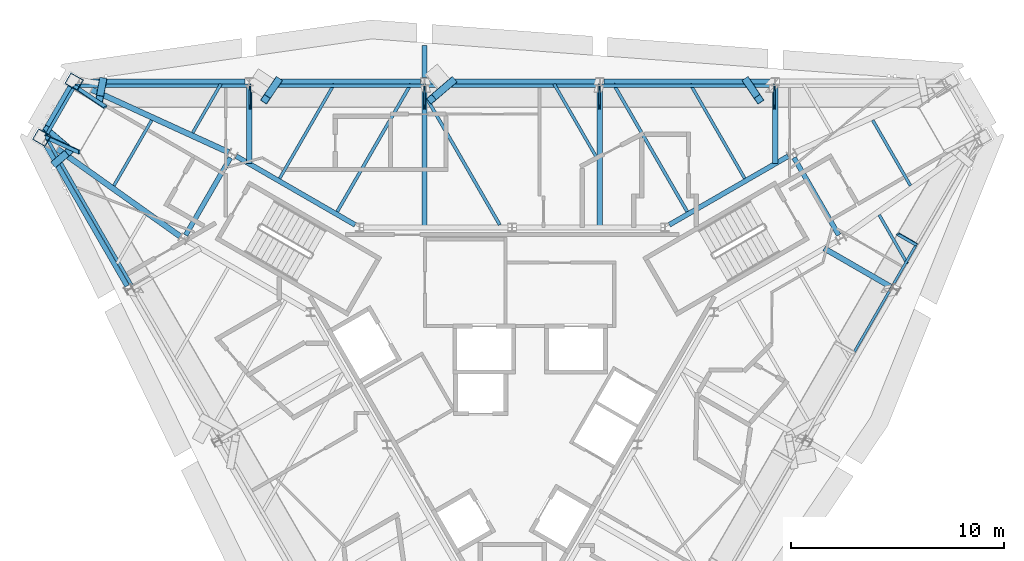
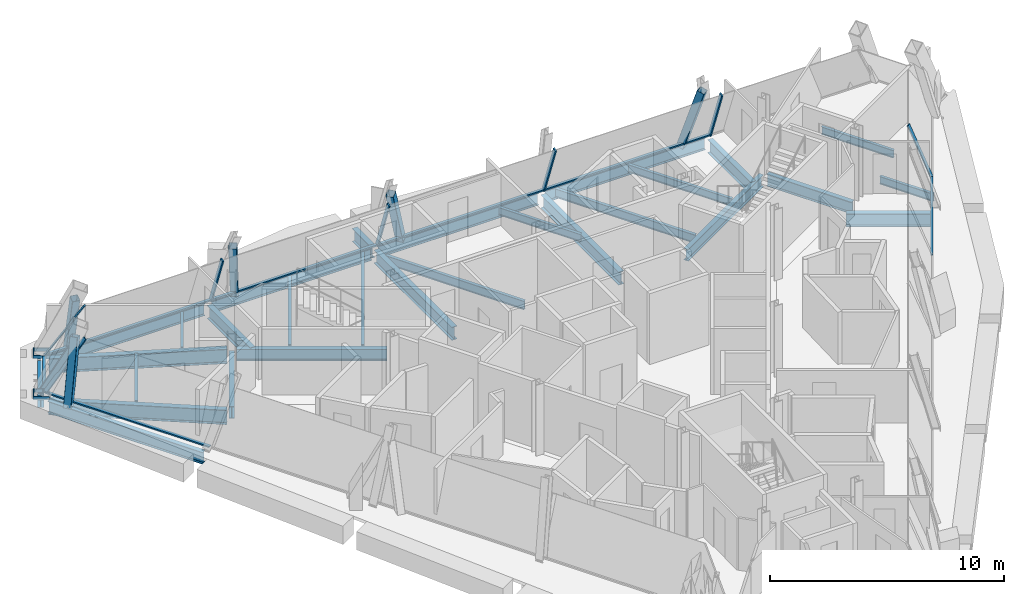
# One storey, part 3 of 13: 28 beams, 22 members, 4 elements without a shape of their own.
"""IFC4 building model written with IfcOpenShell, lengths in metres."""

from ifc_helpers import new_model, si_unit, direction, frame, origin, origin_2d, place, context, subcontext, project, spatial, rectangle, hollow_rectangle, i_section, extrude, material, material_profile, profile_set, type_object, element, aggregate, save


model = new_model("IFC4")

# Units and contexts
model_context = context("Model", 3, precision=1e-05, world=origin(), true_north=direction((0.0, 1.0)))
body_context = subcontext(model_context, "Body", "Model", "MODEL_VIEW")
ifc_project = project(units=[si_unit("LENGTHUNIT", "METRE"), si_unit("AREAUNIT", "SQUARE_METRE"), si_unit("VOLUMEUNIT", "CUBIC_METRE"), si_unit("PLANEANGLEUNIT", "RADIAN"), si_unit("MASSUNIT", "GRAM", prefix="KILO")], contexts=[model_context])

# Site, building, storey
site_placement = place(None, origin())
site = spatial("IfcSite", under=ifc_project, at=site_placement, CompositionType="ELEMENT")
building_placement = place(site_placement, origin())
building = spatial("IfcBuilding", under=site, at=building_placement, Name="Verrane Prism Tower", CompositionType="ELEMENT")
storey_placement = place(building_placement, frame((0.0, 0.0, 304.699951171875)))
storey = spatial("IfcBuildingStorey", under=building, at=storey_placement, Name="L77", CompositionType="ELEMENT", Elevation=304.699951171875)

# Member
ifc_material_1 = material(Name="Steel A500 Grade C", Category="steel")
ifc_material_profile_1 = material_profile(ifc_material_1, hollow_rectangle(XDim=0.25390625, YDim=0.25390625, WallThickness=0.009521484375, InnerFilletRadius=0.0048828125, OuterFilletRadius=0.014404296875, at=origin_2d()), Name="HSS10x10x3/8")
ifc_profile_set_1 = profile_set([ifc_material_profile_1], Name="Steel A500 Grade C")
member_type_1 = type_object("IfcMemberType", Name="Chamfer brace HSS10x10x3/8", PredefinedType="BRACE", material=ifc_profile_set_1)
member_1_placement = place(storey_placement, frame((-21.880859375, 11.433837890625, -0.242431640625), z_axis=(0.352889837406, -0.301488956858, 0.885761351352), x_axis=(0.649563353481, 0.760307470576, 0.0)))
element("IfcMember", 1, at=member_1_placement, inside=storey, type_object=member_type_1, Name="Chamfer brace NW0 L77", PredefinedType="BRACE", context=body_context, shape_type="SweptSolid", body=[
    extrude(hollow_rectangle(XDim=0.25390625, YDim=0.25390625, WallThickness=0.009521484375, InnerFilletRadius=0.0048828125, OuterFilletRadius=0.014404296875, at=origin_2d()), origin(), (0.0, 0.0, 1.0), 3.1064453125),
])

# Beams
ifc_material_2 = material(Name="Steel A992", Category="steel")
ifc_material_profile_2 = material_profile(ifc_material_2, i_section(OverallWidth=0.2666015625, OverallDepth=0.7568359375, WebThickness=0.013916015625, FlangeThickness=0.019287109375, FilletRadius=0.0166015625, at=origin_2d()), Name="W30x108")
ifc_profile_set_2 = profile_set([ifc_material_profile_2], Name="Steel A992")
beam_type_1 = type_object("IfcBeamType", Name="Chamfer spandrel beam W30x108", PredefinedType="SPANDREL", material=ifc_profile_set_2)
beam_1_placement = place(storey_placement, frame((-20.75, 13.390380859375, -0.538330078125), z_axis=(-0.500436097356, -0.865773476415, 0.0), x_axis=(0.865773476415, -0.500436097356, 0.0)))
element("IfcBeam", 2, at=beam_1_placement, inside=storey, type_object=beam_type_1, Name="Chamfer spandrel beam L77", PredefinedType="SPANDREL", context=body_context, shape_type="SweptSolid", body=[
    extrude(i_section(OverallWidth=0.2666015625, OverallDepth=0.7568359375, WebThickness=0.013916015625, FlangeThickness=0.019287109375, FilletRadius=0.0166015625, at=origin_2d()), origin(), (0.0, 0.0, 1.0), 2.437744140625),
])
ifc_material_3 = material(Name="Steel A992", Category="steel")
ifc_material_profile_3 = material_profile(ifc_material_3, i_section(OverallWidth=0.23046875, OverallDepth=0.6171875, WebThickness=0.01318359375, FlangeThickness=0.022216796875, FilletRadius=0.012939453125, at=origin_2d()), Name="W24x94")
ifc_profile_set_3 = profile_set([ifc_material_profile_3], Name="Steel A992")
beam_type_2 = type_object("IfcBeamType", Name="Core ring girder W24x94", PredefinedType="BEAM", material=ifc_profile_set_3)
beam_2_placement = place(storey_placement, frame((15.339599609375, 6.43359375, -0.55859375), z_axis=(-0.500306681185, 0.865848268903, 0.0), x_axis=(-0.865848268903, -0.500306681185, 0.0)))
element("IfcBeam", 3, at=beam_2_placement, inside=storey, type_object=beam_type_2, Name="Core ring girder L77", PredefinedType="BEAM", context=body_context, shape_type="SweptSolid", body=[
    extrude(i_section(OverallWidth=0.23046875, OverallDepth=0.6171875, WebThickness=0.01318359375, FlangeThickness=0.022216796875, FilletRadius=0.012939453125, at=origin_2d()), origin(), (0.0, 0.0, 1.0), 4.195556640625),
])
for number, where, z_axis, x_axis, name in (
    (4, (12.96728515625, 10.140380859375, -0.55859375), (-0.866080992722, -0.499903704773, 0.0), (0.499903704773, -0.866080992722, 0.0), "Core ring girder L77"),
    (5, (-7.37939453125, 6.9150390625, -0.55859375), (-0.866080992722, 0.499903704773, 0.0), (-0.499903704773, -0.866080992722, 0.0), "Core ring girder L77"),
):
    element("IfcBeam", number, at=place(storey_placement, frame(where, z_axis=z_axis, x_axis=x_axis)), inside=storey, type_object=beam_type_2, Name=name, PredefinedType="BEAM", context=body_context, shape_type="SweptSolid", body=[
        extrude(i_section(OverallWidth=0.23046875, OverallDepth=0.6171875, WebThickness=0.01318359375, FlangeThickness=0.022216796875, FilletRadius=0.012939453125, at=origin_2d()), origin(), (0.0, 0.0, 1.0), 6.451904296875),
    ])
beam_3_placement = place(storey_placement, frame((-13.240478515625, 10.06640625, -0.55859375), z_axis=(-0.500306681185, -0.865848268903, 0.0), x_axis=(0.865848268903, -0.500306681185, 0.0)))
element("IfcBeam", 6, at=beam_3_placement, inside=storey, type_object=beam_type_2, Name="Core ring girder L77", PredefinedType="BEAM", context=body_context, shape_type="SweptSolid", body=[
    extrude(i_section(OverallWidth=0.23046875, OverallDepth=0.6171875, WebThickness=0.01318359375, FlangeThickness=0.022216796875, FilletRadius=0.012939453125, at=origin_2d()), origin(), (0.0, 0.0, 1.0), 4.195556640625),
])
ifc_material_4 = material(Name="Steel A992", Category="steel")
ifc_material_profile_4 = material_profile(ifc_material_4, i_section(OverallWidth=0.2666015625, OverallDepth=0.7568359375, WebThickness=0.013916015625, FlangeThickness=0.019287109375, FilletRadius=0.0166015625, at=origin_2d()), Name="W30x108")
ifc_profile_set_4 = profile_set([ifc_material_profile_4], Name="Steel A992")
beam_type_3 = type_object("IfcBeamType", Name="Corner girder W30x108", PredefinedType="BEAM", material=ifc_profile_set_4)
for number, where, z_axis, x_axis, name in (
    (7, (-20.2802734375, 13.50390625, -0.598388671875), (0.909481370613, -0.415744677065, 0.0), (0.415744677065, 0.909481370613, 0.0), "Corner girder L77"),
    (8, (-21.833740234375, 10.81591796875, -0.598388671875), (0.814401339816, -0.580302040067, 0.0), (0.580302040067, 0.814401339816, 0.0), "Corner girder L77"),
):
    element("IfcBeam", number, at=place(storey_placement, frame(where, z_axis=z_axis, x_axis=x_axis)), inside=storey, type_object=beam_type_3, Name=name, PredefinedType="BEAM", context=body_context, shape_type="SweptSolid", body=[
        extrude(i_section(OverallWidth=0.2666015625, OverallDepth=0.7568359375, WebThickness=0.013916015625, FlangeThickness=0.019287109375, FilletRadius=0.0166015625, at=origin_2d()), origin(), (0.0, 0.0, 1.0), 7.650634765625),
    ])

# Members
ifc_material_5 = material(Name="Steel A500 Grade C", Category="steel")
ifc_material_profile_5 = material_profile(ifc_material_5, hollow_rectangle(XDim=0.355712890625, YDim=0.355712890625, WallThickness=0.0126953125, InnerFilletRadius=0.00634765625, OuterFilletRadius=0.01904296875, at=origin_2d()), Name="HSS14x14x1/2")
ifc_profile_set_5 = profile_set([ifc_material_profile_5], Name="Steel A500 Grade C")
member_type_2 = type_object("IfcMemberType", Name="Facade brace HSS14x14x1/2", PredefinedType="BRACE", material=ifc_profile_set_5)
member_2_placement = place(storey_placement, frame((11.03125, 13.64990234375, -0.216552734375), z_axis=(0.168559870139, -0.249880691753, 0.95349211327), x_axis=(0.829017246302, 0.559223037199, 0.0)))
element("IfcMember", 9, at=member_2_placement, inside=storey, type_object=member_type_2, Name="Facade brace N1 L77", PredefinedType="BRACE", context=body_context, shape_type="SweptSolid", body=[
    extrude(hollow_rectangle(XDim=0.355712890625, YDim=0.355712890625, WallThickness=0.0126953125, InnerFilletRadius=0.00634765625, OuterFilletRadius=0.01904296875, at=origin_2d()), origin(), (0.0, 0.0, 1.0), 3.341552734375),
])
member_3_placement = place(storey_placement, frame((-2.823486328125, 13.64990234375, -0.216552734375), z_axis=(-0.283315972977, -0.242599055478, 0.927834984109), x_axis=(0.650415408637, -0.75957869652, 0.0)))
element("IfcMember", 10, at=member_3_placement, inside=storey, type_object=member_type_2, Name="Facade brace N2 L77", PredefinedType="BRACE", context=body_context, shape_type="SweptSolid", body=[
    extrude(hollow_rectangle(XDim=0.355712890625, YDim=0.355712890625, WallThickness=0.0126953125, InnerFilletRadius=0.00634765625, OuterFilletRadius=0.01904296875, at=origin_2d()), origin(), (0.0, 0.0, 1.0), 3.441650390625),
])
member_4_placement = place(storey_placement, frame((-11.03125, 13.64990234375, -0.216552734375), z_axis=(-0.168559870139, -0.249880691753, 0.95349211327), x_axis=(0.829017246302, -0.559223037199, 0.0)))
element("IfcMember", 11, at=member_4_placement, inside=storey, type_object=member_type_2, Name="Facade brace N3 L77", PredefinedType="BRACE", context=body_context, shape_type="SweptSolid", body=[
    extrude(hollow_rectangle(XDim=0.355712890625, YDim=0.355712890625, WallThickness=0.0126953125, InnerFilletRadius=0.00634765625, OuterFilletRadius=0.01904296875, at=origin_2d()), origin(), (0.0, 0.0, 1.0), 3.341552734375),
])
member_5_placement = place(storey_placement, frame((-19.23876953125, 13.64990234375, -0.216552734375), z_axis=(-0.046697248838, -0.253573473452, 0.966188315243), x_axis=(0.983462622237, -0.18111121076, 0.0)))
element("IfcMember", 12, at=member_5_placement, inside=storey, type_object=member_type_2, Name="Facade brace N4 L77", PredefinedType="BRACE", context=body_context, shape_type="SweptSolid", body=[
    extrude(hollow_rectangle(XDim=0.355712890625, YDim=0.355712890625, WallThickness=0.0126953125, InnerFilletRadius=0.00634765625, OuterFilletRadius=0.01904296875, at=origin_2d()), origin(), (0.0, 0.0, 1.0), 3.293701171875),
])
member_6_placement = place(storey_placement, frame((-21.439453125, 9.840576171875, -0.216552734375), z_axis=(0.195998181882, 0.167013579342, 0.966276967031), x_axis=(-0.648583840742, 0.761143220116, 0.0)))
element("IfcMember", 13, at=member_6_placement, inside=storey, type_object=member_type_2, Name="Facade brace SW0 L77", PredefinedType="BRACE", context=body_context, shape_type="SweptSolid", body=[
    extrude(hollow_rectangle(XDim=0.355712890625, YDim=0.355712890625, WallThickness=0.0126953125, InnerFilletRadius=0.00634765625, OuterFilletRadius=0.01904296875, at=origin_2d()), origin(), (0.0, 0.0, 1.0), 3.29345703125),
])

# Beams
ifc_material_6 = material(Name="Steel A992", Category="steel")
ifc_material_profile_6 = material_profile(ifc_material_6, i_section(OverallWidth=0.140380859375, OverallDepth=0.40380859375, WebThickness=0.007080078125, FlangeThickness=0.01123046875, FilletRadius=0.01025390625, at=origin_2d()), Name="W16x31")
ifc_profile_set_6 = profile_set([ifc_material_profile_6], Name="Steel A992")
beam_type_4 = type_object("IfcBeamType", Name="Floor beam W16x31", PredefinedType="BEAM", material=ifc_profile_set_6)
beam_4_placement = place(storey_placement, frame((10.925048828125, 9.094482421875, -0.36181640625), z_axis=(-0.500005474671, 0.866022242959, 0.0), x_axis=(-0.866022242959, -0.500005474671, 0.0)))
element("IfcBeam", 14, at=beam_4_placement, inside=storey, type_object=beam_type_4, Name="Floor beam L77", PredefinedType="BEAM", context=body_context, shape_type="SweptSolid", body=[
    extrude(i_section(OverallWidth=0.140380859375, OverallDepth=0.40380859375, WebThickness=0.007080078125, FlangeThickness=0.01123046875, FilletRadius=0.01025390625, at=origin_2d()), origin(), (0.0, 0.0, 1.0), 5.12744140625),
])
beam_5_placement = place(storey_placement, frame((3.992919921875, 10.029296875, -0.36181640625), z_axis=(-0.499992196334, 0.866029909186, 0.0), x_axis=(-0.866029909186, -0.499992196334, 0.0)))
element("IfcBeam", 15, at=beam_5_placement, inside=storey, type_object=beam_type_4, Name="Floor beam L77", PredefinedType="BEAM", context=body_context, shape_type="SweptSolid", body=[
    extrude(i_section(OverallWidth=0.140380859375, OverallDepth=0.40380859375, WebThickness=0.007080078125, FlangeThickness=0.01123046875, FilletRadius=0.01025390625, at=origin_2d()), origin(), (0.0, 0.0, 1.0), 4.0478515625),
])
beam_6_placement = place(storey_placement, frame((-10.925048828125, 9.094482421875, -0.36181640625), z_axis=(0.500005474671, 0.866022242959, 0.0), x_axis=(-0.866022242959, 0.500005474671, 0.0)))
element("IfcBeam", 16, at=beam_6_placement, inside=storey, type_object=beam_type_4, Name="Floor beam L77", PredefinedType="BEAM", context=body_context, shape_type="SweptSolid", body=[
    extrude(i_section(OverallWidth=0.140380859375, OverallDepth=0.40380859375, WebThickness=0.007080078125, FlangeThickness=0.01123046875, FilletRadius=0.01025390625, at=origin_2d()), origin(), (0.0, 0.0, 1.0), 5.12744140625),
])
beam_7_placement = place(storey_placement, frame((-15.01123046875, 11.2421875, -0.36181640625), z_axis=(0.50007632508, 0.865981332994, 0.0), x_axis=(-0.865981332994, 0.50007632508, 0.0)))
element("IfcBeam", 17, at=beam_7_placement, inside=storey, type_object=beam_type_4, Name="Floor beam L77", PredefinedType="BEAM", context=body_context, shape_type="SweptSolid", body=[
    extrude(i_section(OverallWidth=0.140380859375, OverallDepth=0.40380859375, WebThickness=0.007080078125, FlangeThickness=0.01123046875, FilletRadius=0.01025390625, at=origin_2d()), origin(), (0.0, 0.0, 1.0), 2.6474609375),
])
beam_8_placement = place(storey_placement, frame((18.565185546875, 5.089599609375, -0.36181640625), z_axis=(-0.49994082229, 0.866059567356, 0.0), x_axis=(-0.866059567356, -0.49994082229, 0.0)))
element("IfcBeam", 18, at=beam_8_placement, inside=storey, type_object=beam_type_4, Name="Floor beam L77", PredefinedType="BEAM", context=body_context, shape_type="SweptSolid", body=[
    extrude(i_section(OverallWidth=0.140380859375, OverallDepth=0.40380859375, WebThickness=0.007080078125, FlangeThickness=0.01123046875, FilletRadius=0.01025390625, at=origin_2d()), origin(), (0.0, 0.0, 1.0), 2.645263671875),
])
for number, where, z_axis, x_axis, name in (
    (19, (18.712158203125, 8.755615234375, -0.36181640625), (-0.499986454343, 0.866033224232, 0.0), (-0.866033224232, -0.499986454343, 0.0), "Floor beam L77"),
    (20, (-18.712158203125, 8.755615234375, -0.36181640625), (0.499986454343, 0.866033224232, 0.0), (-0.866033224232, 0.499986454343, 0.0), "Floor beam L77"),
):
    element("IfcBeam", number, at=place(storey_placement, frame(where, z_axis=z_axis, x_axis=x_axis)), inside=storey, type_object=beam_type_4, Name=name, PredefinedType="BEAM", context=body_context, shape_type="SweptSolid", body=[
        extrude(i_section(OverallWidth=0.140380859375, OverallDepth=0.40380859375, WebThickness=0.007080078125, FlangeThickness=0.01123046875, FilletRadius=0.01025390625, at=origin_2d()), origin(), (0.0, 0.0, 1.0), 3.548828125),
    ])
ifc_material_7 = material(Name="Steel A992", Category="steel")
ifc_material_profile_7 = material_profile(ifc_material_7, i_section(OverallWidth=0.15234375, OverallDepth=0.449462890625, WebThickness=0.007568359375, FlangeThickness=0.0107421875, FilletRadius=0.01025390625, at=origin_2d()), Name="W18x35")
ifc_profile_set_7 = profile_set([ifc_material_profile_7], Name="Steel A992")
beam_type_5 = type_object("IfcBeamType", Name="Floor beam W18x35", PredefinedType="BEAM", material=ifc_profile_set_7)
beam_9_placement = place(storey_placement, frame((8.22265625, 7.53466796875, -0.384765625), z_axis=(-0.500012221024, 0.866018347858, 0.0), x_axis=(-0.866018347858, -0.500012221024, 0.0)))
element("IfcBeam", 21, at=beam_9_placement, inside=storey, type_object=beam_type_5, Name="Floor beam L77", PredefinedType="BEAM", context=body_context, shape_type="SweptSolid", body=[
    extrude(i_section(OverallWidth=0.15234375, OverallDepth=0.449462890625, WebThickness=0.007568359375, FlangeThickness=0.0107421875, FilletRadius=0.01025390625, at=origin_2d()), origin(), (0.0, 0.0, 1.0), 6.928466796875),
])
beam_10_placement = place(storey_placement, frame((-0.583251953125, 6.9150390625, -0.384765625), z_axis=(-0.499997234054, 0.866027000698, 0.0), x_axis=(-0.866027000698, -0.499997234054, 0.0)))
element("IfcBeam", 22, at=beam_10_placement, inside=storey, type_object=beam_type_5, Name="Floor beam L77", PredefinedType="BEAM", context=body_context, shape_type="SweptSolid", body=[
    extrude(i_section(OverallWidth=0.15234375, OverallDepth=0.449462890625, WebThickness=0.007568359375, FlangeThickness=0.0107421875, FilletRadius=0.01025390625, at=origin_2d()), origin(), (0.0, 0.0, 1.0), 6.8193359375),
])
beam_11_placement = place(storey_placement, frame((-8.22265625, 7.53466796875, -0.384765625), z_axis=(0.500012221024, 0.866018347858, 0.0), x_axis=(-0.866018347858, 0.500012221024, 0.0)))
element("IfcBeam", 23, at=beam_11_placement, inside=storey, type_object=beam_type_5, Name="Floor beam L77", PredefinedType="BEAM", context=body_context, shape_type="SweptSolid", body=[
    extrude(i_section(OverallWidth=0.15234375, OverallDepth=0.449462890625, WebThickness=0.007568359375, FlangeThickness=0.0107421875, FilletRadius=0.01025390625, at=origin_2d()), origin(), (0.0, 0.0, 1.0), 6.928466796875),
])

# Members
ifc_material_8 = material(Name="Steel A572 Grade 50", Category="steel")
ifc_material_profile_8 = material_profile(ifc_material_8, hollow_rectangle(XDim=0.60009765625, YDim=0.699951171875, WallThickness=0.0400390625, at=origin_2d()), Name="BOX 700x600x40")
ifc_profile_set_8 = profile_set([ifc_material_profile_8], Name="Steel A572 Grade 50")
member_type_3 = type_object("IfcMemberType", Name="Kink node BOX 700x600x40", PredefinedType="COLLAR", material=ifc_profile_set_8)
for number, where, z_axis, x_axis, name in (
    (24, (-20.58251953125, 13.637939453125, -0.08984375), (0.0, 0.0, 1.0), (0.5, 0.866025403784, 0.0), "Kink node MC5 L77"),
    (25, (-22.100830078125, 11.010986328125, -0.08984375), (0.0, 0.0, 1.0), (0.5, 0.866025403784, 0.0), "Kink node MC5 L77"),
):
    element("IfcMember", number, at=place(storey_placement, frame(where, z_axis=z_axis, x_axis=x_axis)), inside=storey, type_object=member_type_3, Name=name, PredefinedType="COLLAR", context=body_context, shape_type="SweptSolid", body=[
        extrude(hollow_rectangle(XDim=0.60009765625, YDim=0.699951171875, WallThickness=0.0400390625, at=origin_2d()), origin(), (0.0, 0.0, 1.0), 0.179931640625),
    ])

# Curtain wall, member
ifc_material_9 = material(Name="Aluminium framed insulated glazing", Category="aluminium")
curtain_wall_type_1 = type_object("IfcCurtainWallType", Name="Curtain wall CW-B 5600 module", PredefinedType="NOTDEFINED", material=ifc_material_9)
curtain_wall_1_placement = place(storey_placement, origin())
curtain_wall_1 = element("IfcCurtainWall", 26, at=curtain_wall_1_placement, inside=storey, type_object=curtain_wall_type_1, Name="Glazed curtain wall south-east face L77", PredefinedType="NOTDEFINED")
ifc_material_10 = material(Name="Aluminium alloy 6063-T6", Category="aluminium")
ifc_material_profile_9 = material_profile(ifc_material_10, rectangle(XDim=0.159912109375, YDim=0.06005859375, at=origin_2d()), Name="Mullion 60x160 aluminium")
ifc_profile_set_9 = profile_set([ifc_material_profile_9], Name="Aluminium alloy 6063-T6")
member_type_4 = type_object("IfcMemberType", Name="Mullion 60x160 aluminium", PredefinedType="MULLION", material=ifc_profile_set_9)
member_7_placement = place(storey_placement, frame((18.983642578125, 5.986083984375, 0.0), z_axis=(-0.298589816525, 0.17235398654, 0.938689631769), x_axis=(0.83942992662, 0.515404542954, 0.172382004274)))
member_7 = element("IfcMember", 27, at=member_7_placement, type_object=member_type_4, Name="CW75.6 mullion 7", PredefinedType="MULLION", context=body_context, shape_type="SweptSolid", body=[
    extrude(rectangle(XDim=0.159912109375, YDim=0.06005859375, at=origin_2d()), origin(), (0.0, 0.0, 1.0), 2.901123046875),
])

# Curtain wall, members
ifc_material_11 = material(Name="Aluminium framed insulated glazing", Category="aluminium")
curtain_wall_type_2 = type_object("IfcCurtainWallType", Name="Curtain wall CW-A 8400 module", PredefinedType="NOTDEFINED", material=ifc_material_11)
curtain_wall_2_placement = place(storey_placement, origin())
curtain_wall_2 = element("IfcCurtainWall", 28, at=curtain_wall_2_placement, inside=storey, type_object=curtain_wall_type_2, Name="Glazed curtain wall north face L77", PredefinedType="NOTDEFINED")
ifc_material_12 = material(Name="Aluminium alloy 6063-T6", Category="aluminium")
ifc_material_profile_10 = material_profile(ifc_material_12, rectangle(XDim=0.199951171875, YDim=0.070068359375, at=origin_2d()), Name="Mullion 70x200 aluminium")
ifc_profile_set_10 = profile_set([ifc_material_profile_10], Name="Aluminium alloy 6063-T6")
member_type_5 = type_object("IfcMemberType", Name="Mullion 70x200 aluminium", PredefinedType="MULLION", material=ifc_profile_set_10)
member_8_placement = place(storey_placement, frame((12.32763671875, 13.447265625, 0.0), z_axis=(0.0, -0.344714555209, 0.938707555859), x_axis=(0.0, -0.938707555859, -0.344714555209)))
member_8 = element("IfcMember", 29, at=member_8_placement, type_object=member_type_5, Name="CW75.2 mullion 2", PredefinedType="MULLION", context=body_context, shape_type="SweptSolid", body=[
    extrude(rectangle(XDim=0.199951171875, YDim=0.070068359375, at=origin_2d()), origin(), (0.0, 0.0, 1.0), 2.90087890625),
])
member_9_placement = place(storey_placement, frame((4.109130859375, 13.447265625, 0.0), z_axis=(0.0, -0.344714555209, 0.938707555859), x_axis=(0.0, -0.938707555859, -0.344714555209)))
member_9 = element("IfcMember", 30, at=member_9_placement, type_object=member_type_5, Name="CW75.2 mullion 3", PredefinedType="MULLION", context=body_context, shape_type="SweptSolid", body=[
    extrude(rectangle(XDim=0.199951171875, YDim=0.070068359375, at=origin_2d()), origin(), (0.0, 0.0, 1.0), 2.90087890625),
])
member_10_placement = place(storey_placement, frame((-4.109130859375, 13.447265625, 0.0), z_axis=(0.0, -0.344714555209, 0.938707555859), x_axis=(0.0, -0.938707555859, -0.344714555209)))
member_10 = element("IfcMember", 31, at=member_10_placement, type_object=member_type_5, Name="CW75.2 mullion 4", PredefinedType="MULLION", context=body_context, shape_type="SweptSolid", body=[
    extrude(rectangle(XDim=0.199951171875, YDim=0.070068359375, at=origin_2d()), origin(), (0.0, 0.0, 1.0), 2.90087890625),
])
member_11_placement = place(storey_placement, frame((-12.32763671875, 13.447265625, 0.0), z_axis=(0.0, -0.344714555209, 0.938707555859), x_axis=(0.0, -0.938707555859, -0.344714555209)))
member_11 = element("IfcMember", 32, at=member_11_placement, type_object=member_type_5, Name="CW75.2 mullion 5", PredefinedType="MULLION", context=body_context, shape_type="SweptSolid", body=[
    extrude(rectangle(XDim=0.199951171875, YDim=0.070068359375, at=origin_2d()), origin(), (0.0, 0.0, 1.0), 2.90087890625),
])

# Curtain wall, member
curtain_wall_3_placement = place(storey_placement, origin())
curtain_wall_3 = element("IfcCurtainWall", 33, at=curtain_wall_3_placement, inside=storey, type_object=curtain_wall_type_2, Name="Glazed curtain wall north-west corner L77", PredefinedType="NOTDEFINED")
member_12_placement = place(storey_placement, frame((-20.563720703125, 13.4169921875, 0.0), z_axis=(0.448296715077, -0.299871093346, 0.842085139773), x_axis=(0.83146913402, 0.485731748146, -0.269673409913)))
member_12 = element("IfcMember", 34, at=member_12_placement, type_object=member_type_5, Name="CW75.3 mullion 1", PredefinedType="MULLION", context=body_context, shape_type="SweptSolid", body=[
    extrude(rectangle(XDim=0.199951171875, YDim=0.070068359375, at=origin_2d()), origin(), (0.0, 0.0, 1.0), 3.23388671875),
])

curtain_wall_4_placement = place(storey_placement, origin())
curtain_wall_4 = element("IfcCurtainWall", 35, at=curtain_wall_4_placement, inside=storey, type_object=curtain_wall_type_2, Name="Glazed curtain wall south-west face L77", PredefinedType="NOTDEFINED")
member_13_placement = place(storey_placement, frame((-21.901123046875, 11.03955078125, 0.0), z_axis=(0.485886072513, -0.220498860622, 0.845751131836), x_axis=(-0.027197991899, 0.963371032462, 0.266789285861)))
member_13 = element("IfcMember", 36, at=member_13_placement, type_object=member_type_5, Name="CW75.4 mullion 1", PredefinedType="MULLION", context=body_context, shape_type="SweptSolid", body=[
    extrude(rectangle(XDim=0.199951171875, YDim=0.070068359375, at=origin_2d()), origin(), (0.0, 0.0, 1.0), 3.2197265625),
])

# Beams
ifc_material_13 = material(Name="Steel A992", Category="steel")
ifc_material_profile_11 = material_profile(ifc_material_13, i_section(OverallWidth=0.25390625, OverallDepth=0.683349609375, WebThickness=0.012451171875, FlangeThickness=0.01904296875, FilletRadius=0.01513671875, at=origin_2d()), Name="W27x94")
ifc_profile_set_11 = profile_set([ifc_material_profile_11], Name="Steel A992")
beam_type_6 = type_object("IfcBeamType", Name="Radial girder W27x94", PredefinedType="BEAM", material=ifc_profile_set_11)
beam_12_placement = place(storey_placement, frame((12.360107421875, 13.4658203125, -0.5615234375), z_axis=(0.0, -1.0, 0.0), x_axis=(1.0, 0.0, 0.0)))
element("IfcBeam", 37, at=beam_12_placement, inside=storey, type_object=beam_type_6, Name="Radial girder L77", PredefinedType="BEAM", context=body_context, shape_type="SweptSolid", body=[
    extrude(i_section(OverallWidth=0.25390625, OverallDepth=0.683349609375, WebThickness=0.012451171875, FlangeThickness=0.01904296875, FilletRadius=0.01513671875, at=origin_2d()), origin(), (0.0, 0.0, 1.0), 3.676025390625),
])
for number, where, z_axis, x_axis, name in (
    (38, (4.1201171875, 13.4658203125, -0.5615234375), (0.0, -1.0, 0.0), (1.0, 0.0, 0.0), "Radial girder L77"),
    (39, (-4.1201171875, 13.4658203125, -0.5615234375), (0.0, -1.0, 0.0), (1.0, 0.0, 0.0), "Radial girder L77"),
):
    element("IfcBeam", number, at=place(storey_placement, frame(where, z_axis=z_axis, x_axis=x_axis)), inside=storey, type_object=beam_type_6, Name=name, PredefinedType="BEAM", context=body_context, shape_type="SweptSolid", body=[
        extrude(i_section(OverallWidth=0.25390625, OverallDepth=0.683349609375, WebThickness=0.012451171875, FlangeThickness=0.01904296875, FilletRadius=0.01513671875, at=origin_2d()), origin(), (0.0, 0.0, 1.0), 6.665771484375),
    ])
beam_13_placement = place(storey_placement, frame((-12.360107421875, 13.4658203125, -0.5615234375), z_axis=(0.0, -1.0, 0.0), x_axis=(1.0, 0.0, 0.0)))
element("IfcBeam", 40, at=beam_13_placement, inside=storey, type_object=beam_type_6, Name="Radial girder L77", PredefinedType="BEAM", context=body_context, shape_type="SweptSolid", body=[
    extrude(i_section(OverallWidth=0.25390625, OverallDepth=0.683349609375, WebThickness=0.012451171875, FlangeThickness=0.01904296875, FilletRadius=0.01513671875, at=origin_2d()), origin(), (0.0, 0.0, 1.0), 3.676025390625),
])
beam_14_placement = place(storey_placement, frame((17.840576171875, 3.97216796875, -0.5615234375), z_axis=(-0.866042841795, 0.499969795263, 0.0), x_axis=(-0.499969795263, -0.866042841795, 0.0)))
element("IfcBeam", 41, at=beam_14_placement, inside=storey, type_object=beam_type_6, Name="Radial girder L77", PredefinedType="BEAM", context=body_context, shape_type="SweptSolid", body=[
    extrude(i_section(OverallWidth=0.25390625, OverallDepth=0.683349609375, WebThickness=0.012451171875, FlangeThickness=0.01904296875, FilletRadius=0.01513671875, at=origin_2d()), origin(), (0.0, 0.0, 1.0), 3.674072265625),
])
beam_15_placement = place(storey_placement, frame((-4.1201171875, 13.830078125, -0.5615234375), z_axis=(0.0, 1.0, 0.0), x_axis=(-1.0, 0.0, 0.0)))
element("IfcBeam", 42, at=beam_15_placement, inside=storey, type_object=beam_type_6, Name="Cantilever girder L77", PredefinedType="BEAM", context=body_context, shape_type="SweptSolid", body=[
    extrude(i_section(OverallWidth=0.25390625, OverallDepth=0.683349609375, WebThickness=0.012451171875, FlangeThickness=0.01904296875, FilletRadius=0.01513671875, at=origin_2d()), origin(), (0.0, 0.0, 1.0), 1.5029296875),
])
ifc_material_14 = material(Name="Steel A992", Category="steel")
ifc_material_profile_12 = material_profile(ifc_material_14, i_section(OverallWidth=0.23046875, OverallDepth=0.6171875, WebThickness=0.01318359375, FlangeThickness=0.022216796875, FilletRadius=0.012939453125, at=origin_2d()), Name="W24x94")
ifc_profile_set_12 = profile_set([ifc_material_profile_12], Name="Steel A992")
beam_type_7 = type_object("IfcBeamType", Name="Spandrel beam W24x94", PredefinedType="SPANDREL", material=ifc_profile_set_12)
for number, where, z_axis, x_axis, name in (
    (43, (12.17333984375, 13.64990234375, -0.468505859375), (-1.0, 0.0, 0.0), (0.0, -1.0, 0.0), "Spandrel beam L77"),
    (44, (3.933349609375, 13.64990234375, -0.468505859375), (-1.0, 0.0, 0.0), (0.0, -1.0, 0.0), "Spandrel beam L77"),
    (45, (-4.306640625, 13.64990234375, -0.468505859375), (-1.0, 0.0, 0.0), (0.0, -1.0, 0.0), "Spandrel beam L77"),
):
    element("IfcBeam", number, at=place(storey_placement, frame(where, z_axis=z_axis, x_axis=x_axis)), inside=storey, type_object=beam_type_7, Name=name, PredefinedType="SPANDREL", context=body_context, shape_type="SweptSolid", body=[
        extrude(i_section(OverallWidth=0.23046875, OverallDepth=0.6171875, WebThickness=0.01318359375, FlangeThickness=0.022216796875, FilletRadius=0.012939453125, at=origin_2d()), origin(), (0.0, 0.0, 1.0), 7.86669921875),
    ])
beam_16_placement = place(storey_placement, frame((-12.546630859375, 13.64990234375, -0.468505859375), z_axis=(-1.0, 0.0, 0.0), x_axis=(0.0, -1.0, 0.0)))
element("IfcBeam", 46, at=beam_16_placement, inside=storey, type_object=beam_type_7, Name="Spandrel beam L77", PredefinedType="SPANDREL", context=body_context, shape_type="SweptSolid", body=[
    extrude(i_section(OverallWidth=0.23046875, OverallDepth=0.6171875, WebThickness=0.01318359375, FlangeThickness=0.022216796875, FilletRadius=0.012939453125, at=origin_2d()), origin(), (0.0, 0.0, 1.0), 7.649169921875),
])
beam_17_placement = place(storey_placement, frame((-21.91796875, 10.669921875, -0.468505859375), z_axis=(0.499797022492, -0.866142561192, 0.0), x_axis=(0.866142561192, 0.499797022492, 0.0)))
element("IfcBeam", 47, at=beam_17_placement, inside=storey, type_object=beam_type_7, Name="Spandrel beam L77", PredefinedType="SPANDREL", context=body_context, shape_type="SweptSolid", body=[
    extrude(i_section(OverallWidth=0.23046875, OverallDepth=0.6171875, WebThickness=0.01318359375, FlangeThickness=0.022216796875, FilletRadius=0.012939453125, at=origin_2d()), origin(), (0.0, 0.0, 1.0), 7.652587890625),
])

# Member
ifc_material_15 = material(Name="Aluminium alloy 6063-T6", Category="aluminium")
ifc_material_profile_13 = material_profile(ifc_material_15, rectangle(XDim=0.1201171875, YDim=0.06005859375, at=origin_2d()), Name="Transom 60x120 aluminium")
ifc_profile_set_13 = profile_set([ifc_material_profile_13], Name="Aluminium alloy 6063-T6")
member_type_6 = type_object("IfcMemberType", Name="Transom 60x120 aluminium", PredefinedType="USERDEFINED", material=ifc_profile_set_13)
member_14_placement = place(storey_placement, frame((16.0634765625, 0.92822265625, 0.030029296875), z_axis=(0.499994042164, 0.866028843516, 0.0), x_axis=(-0.866028843516, 0.499994042164, 0.0)))
member_14 = element("IfcMember", 48, at=member_14_placement, type_object=member_type_6, Name="CW75.6 transom 6", ObjectType="TRANSOM", PredefinedType="USERDEFINED", context=body_context, shape_type="SweptSolid", body=[
    extrude(rectangle(XDim=0.1201171875, YDim=0.06005859375, at=origin_2d()), origin(), (0.0, 0.0, 1.0), 5.81005859375),
])

aggregate(curtain_wall_1, [member_7, member_14])

ifc_material_16 = material(Name="Aluminium alloy 6063-T6", Category="aluminium")
ifc_material_profile_14 = material_profile(ifc_material_16, rectangle(XDim=0.14990234375, YDim=0.070068359375, at=origin_2d()), Name="Transom 70x150 aluminium")
ifc_profile_set_14 = profile_set([ifc_material_profile_14], Name="Aluminium alloy 6063-T6")
member_type_7 = type_object("IfcMemberType", Name="Transom 70x150 aluminium", PredefinedType="USERDEFINED", material=ifc_profile_set_14)
member_15_placement = place(storey_placement, frame((12.292724609375, 13.447265625, 0.03515625), z_axis=(-1.0, 0.0, 0.0), x_axis=(0.0, -1.0, 0.0)))
member_15 = element("IfcMember", 49, at=member_15_placement, type_object=member_type_7, Name="CW75.2 transom 2", ObjectType="TRANSOM", PredefinedType="USERDEFINED", context=body_context, shape_type="SweptSolid", body=[
    extrude(rectangle(XDim=0.14990234375, YDim=0.070068359375, at=origin_2d()), origin(), (0.0, 0.0, 1.0), 8.1484375),
])

member_16_placement = place(storey_placement, frame((4.07421875, 13.447265625, 0.03515625), z_axis=(-1.0, 0.0, 0.0), x_axis=(0.0, -1.0, 0.0)))
member_16 = element("IfcMember", 50, at=member_16_placement, type_object=member_type_7, Name="CW75.2 transom 3", ObjectType="TRANSOM", PredefinedType="USERDEFINED", context=body_context, shape_type="SweptSolid", body=[
    extrude(rectangle(XDim=0.14990234375, YDim=0.070068359375, at=origin_2d()), origin(), (0.0, 0.0, 1.0), 8.1484375),
])

member_17_placement = place(storey_placement, frame((-4.144287109375, 13.447265625, 0.03515625), z_axis=(-1.0, 0.0, 0.0), x_axis=(0.0, -1.0, 0.0)))
member_17 = element("IfcMember", 51, at=member_17_placement, type_object=member_type_7, Name="CW75.2 transom 4", ObjectType="TRANSOM", PredefinedType="USERDEFINED", context=body_context, shape_type="SweptSolid", body=[
    extrude(rectangle(XDim=0.14990234375, YDim=0.070068359375, at=origin_2d()), origin(), (0.0, 0.0, 1.0), 8.1484375),
])

member_18_placement = place(storey_placement, frame((-12.362548828125, 13.447265625, 0.03515625), z_axis=(-1.0, 0.0, 0.0), x_axis=(0.0, -1.0, 0.0)))
member_18 = element("IfcMember", 52, at=member_18_placement, type_object=member_type_7, Name="CW75.2 transom 5", ObjectType="TRANSOM", PredefinedType="USERDEFINED", context=body_context, shape_type="SweptSolid", body=[
    extrude(rectangle(XDim=0.14990234375, YDim=0.070068359375, at=origin_2d()), origin(), (0.0, 0.0, 1.0), 8.18359375),
])

aggregate(curtain_wall_2, [member_8, member_9, member_10, member_11, member_15, member_16, member_17, member_18])

member_19_placement = place(storey_placement, frame((-20.5810546875, 13.386474609375, 0.03515625), z_axis=(-0.50003581814, -0.866004723184, 0.0), x_axis=(0.866004723184, -0.50003581814, 0.0)))
member_19 = element("IfcMember", 53, at=member_19_placement, type_object=member_type_7, Name="CW75.3 transom 1", ObjectType="TRANSOM", PredefinedType="USERDEFINED", context=body_context, shape_type="SweptSolid", body=[
    extrude(rectangle(XDim=0.14990234375, YDim=0.070068359375, at=origin_2d()), origin(), (0.0, 0.0, 1.0), 2.675048828125),
])

aggregate(curtain_wall_3, [member_12, member_19])

member_20_placement = place(storey_placement, frame((-21.8837890625, 11.00927734375, 0.03515625), z_axis=(0.500006361831, -0.866021730749, 0.0), x_axis=(0.866021730749, 0.500006361831, 0.0)))
member_20 = element("IfcMember", 54, at=member_20_placement, type_object=member_type_7, Name="CW75.4 transom 1", ObjectType="TRANSOM", PredefinedType="USERDEFINED", context=body_context, shape_type="SweptSolid", body=[
    extrude(rectangle(XDim=0.14990234375, YDim=0.070068359375, at=origin_2d()), origin(), (0.0, 0.0, 1.0), 8.11376953125),
])

aggregate(curtain_wall_4, [member_13, member_20])

save(model, "model.ifc")
